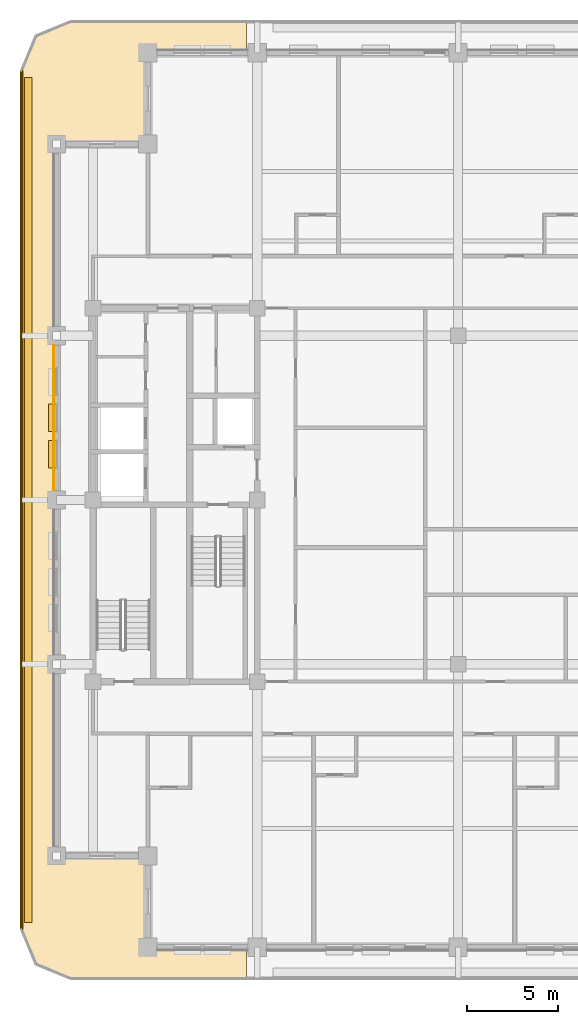
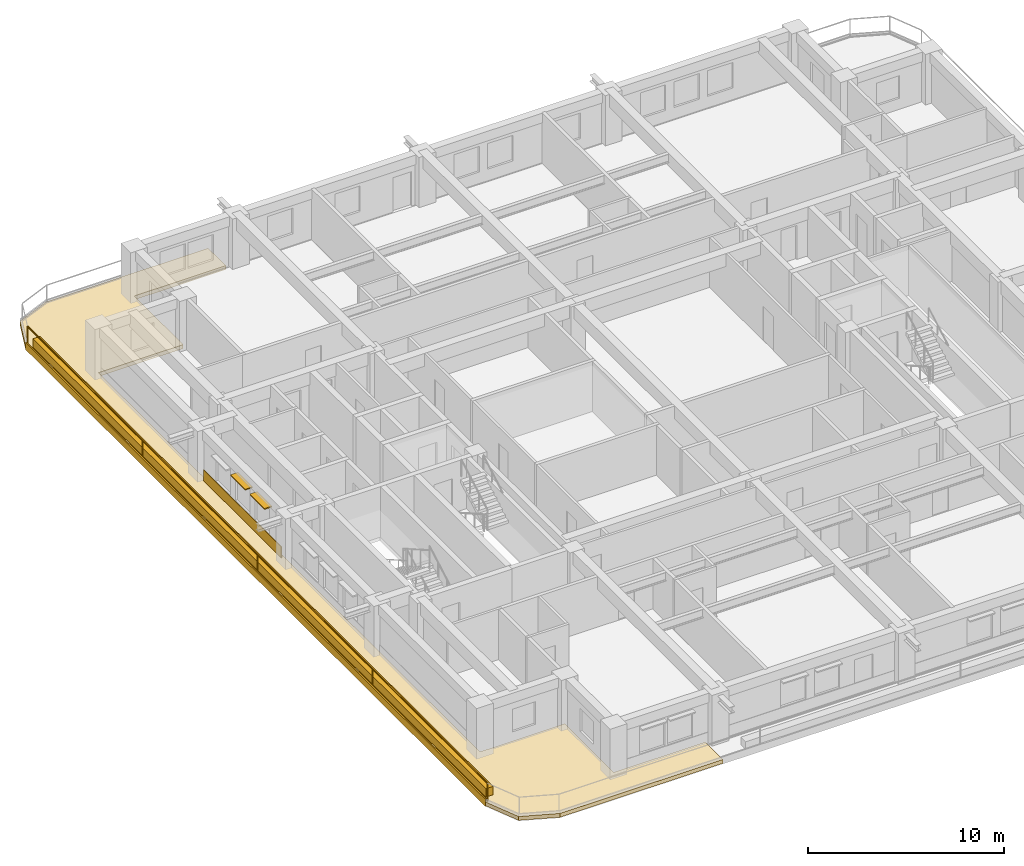
# One storey, part 10 of 13: 4 coverings, 2 shading devices, 1 railing.
"""IFC4 building model written with IfcOpenShell, lengths in metres."""

import ifcopenshell
import ifcopenshell.guid

model = None  # the IFC model being written
_history = None  # IfcOwnerHistory: only IFC2X3 demands one
_inside = {}  # id of a spatial element -> (the spatial element, [elements in it])
_under = {}  # id of a project, library or spatial element -> (it, [spatial elements below it])
_declared = {}  # id of a project -> (the project, [libraries it declares])
_typed = {}  # id of a type object -> (the type object, [elements of that type])
_made_of = {}  # id of a material, layer set ... -> (it, [elements and type objects made of it])


def new_model(schema):
    """Start an empty IFC model of exactly this schema.

    Asked for "IFC4X3", IfcOpenShell would pick the latest addendum, in which some entities
    have other attributes; the version numbers below select the first issue.
    IFC2X3 requires an IfcOwnerHistory on every rooted entity: one is made here for all.
    """
    global model, _history
    if schema == "IFC4X3":
        model = ifcopenshell.file(schema_version=(4, 3, 0, 0))
    else:
        model = ifcopenshell.file(schema=schema)
    _inside.clear()
    _under.clear()
    _declared.clear()
    _typed.clear()
    _made_of.clear()
    _history = None
    if model.schema == "IFC2X3":
        org = make("IfcOrganization", Name="unknown")
        user = make(
            "IfcPersonAndOrganization",
            ThePerson=make("IfcPerson", FamilyName="unknown"),
            TheOrganization=org,
        )
        app = make(
            "IfcApplication",
            ApplicationDeveloper=org,
            Version="unknown",
            ApplicationFullName="unknown",
            ApplicationIdentifier="unknown",
        )
        _history = make(
            "IfcOwnerHistory",
            OwningUser=user,
            OwningApplication=app,
            ChangeAction="ADDED",
            CreationDate=0,
        )
    return model


def make(cls, **values):
    """One entity of the class cls with the attributes given. An attribute that is None is left unset."""
    return model.create_entity(
        cls, **{name: value for name, value in values.items() if value is not None}
    )


def rooted(cls, **values):
    """An entity with a GlobalId (a new one), such as an element, a storey or a relation."""
    return make(cls, GlobalId=ifcopenshell.guid.new(), OwnerHistory=_history, **values)


def si_unit(unit_type, name, prefix=None):
    """IfcSIUnit, for example si_unit("LENGTHUNIT", "METRE", prefix="MILLI")."""
    return make("IfcSIUnit", UnitType=unit_type, Prefix=prefix, Name=name)


def assignment(units):
    """IfcUnitAssignment: the units of a project."""
    return None if units is None else make("IfcUnitAssignment", Units=units)


def point(xyz):
    """IfcCartesianPoint."""
    return None if xyz is None else make("IfcCartesianPoint", Coordinates=xyz)


def direction(xyz):
    """IfcDirection."""
    return None if xyz is None else make("IfcDirection", DirectionRatios=xyz)


def frame(location, z_axis=None, x_axis=None):
    """IfcAxis2Placement3D, a coordinate frame: its origin and axes. An axis left out is left unset."""
    return make(
        "IfcAxis2Placement3D",
        Location=point(location),
        Axis=direction(z_axis),
        RefDirection=direction(x_axis),
    )


def frame_2d(location, x_axis=None):
    """IfcAxis2Placement2D, a coordinate frame in the plane: its origin and x axis."""
    return make(
        "IfcAxis2Placement2D", Location=point(location), RefDirection=direction(x_axis)
    )


def origin():
    """The frame at (0, 0, 0) with its axes left unset."""
    return frame((0.0, 0.0, 0.0))


def origin_2d():
    """The frame at (0, 0) in the plane with its x axis left unset."""
    return frame_2d((0.0, 0.0))


def place(relative_to, where):
    """IfcLocalPlacement: puts the frame where relative to a parent placement (None: the world)."""
    return make(
        "IfcLocalPlacement", PlacementRelTo=relative_to, RelativePlacement=where
    )


def context(
    kind, dimensions, precision=None, world=None, true_north=None, identifier=None
):
    """IfcGeometricRepresentationContext, for example the 3D "Model" context."""
    return make(
        "IfcGeometricRepresentationContext",
        ContextIdentifier=identifier,
        ContextType=kind,
        CoordinateSpaceDimension=dimensions,
        Precision=precision,
        WorldCoordinateSystem=world,
        TrueNorth=true_north,
    )


def subcontext(parent, identifier, kind, view, scale=None):
    """IfcGeometricRepresentationSubContext, for example "Body" below "Model"."""
    return make(
        "IfcGeometricRepresentationSubContext",
        ContextIdentifier=identifier,
        ContextType=kind,
        ParentContext=parent,
        TargetScale=scale,
        TargetView=view,
    )


def project(units=None, contexts=None):
    """IfcProject with its units and contexts."""
    return rooted(
        "IfcProject",
        Name="project",
        RepresentationContexts=contexts,
        UnitsInContext=assignment(units),
    )


def spatial(cls, under=None, at=None, **own):
    """A site, building, storey or space (cls), placed at a placement, below another one or the project."""
    s = rooted(cls, ObjectPlacement=at, **own)
    if under is not None:
        _under.setdefault(under.id(), (under, []))[1].append(s)
    return s


def polyline(points):
    """IfcPolyline through the points."""
    return make("IfcPolyline", Points=[point(p) for p in points])


def profile(cls, at=None, kind="AREA", **sizes):
    """A parametric profile (cls). Its sizes go by their IFC names, for example OverallWidth=200.0."""
    return make(cls, ProfileType=kind, Position=at, **sizes)


def rectangle(**sizes):
    """IfcRectangleProfileDef."""
    return profile("IfcRectangleProfileDef", **sizes)


def outline(outer, holes=None, kind="AREA"):
    """IfcArbitraryClosedProfileDef: a profile drawn as a closed curve; with holes, ...WithVoids."""
    if holes is None:
        return make("IfcArbitraryClosedProfileDef", ProfileType=kind, OuterCurve=outer)
    return make(
        "IfcArbitraryProfileDefWithVoids",
        ProfileType=kind,
        OuterCurve=outer,
        InnerCurves=holes,
    )


def extrude(swept, where, along, depth):
    """IfcExtrudedAreaSolid: the profile swept, set in the frame where, extruded along a direction by depth."""
    return make(
        "IfcExtrudedAreaSolid",
        SweptArea=swept,
        Position=where,
        ExtrudedDirection=direction(along),
        Depth=depth,
    )


def shape(context_of_items, identifier, shape_type, items):
    """IfcShapeRepresentation: the items that make up one representation, for example the "Body"."""
    return make(
        "IfcShapeRepresentation",
        ContextOfItems=context_of_items,
        RepresentationIdentifier=identifier,
        RepresentationType=shape_type,
        Items=items,
    )


def material(Name=None, Category=None):
    """IfcMaterial."""
    return make("IfcMaterial", Name=Name, Category=Category)


def layer(
    of_material, thickness, ventilated=None, Name=None, Category=None, Priority=None
):
    """IfcMaterialLayer: one layer of a wall or slab, of a material (None: an air gap)."""
    return make(
        "IfcMaterialLayer",
        Material=of_material,
        LayerThickness=thickness,
        IsVentilated=ventilated,
        Name=Name,
        Category=Category,
        Priority=Priority,
    )


def layer_set(layers, Name=None):
    """IfcMaterialLayerSet."""
    return make("IfcMaterialLayerSet", MaterialLayers=layers, LayerSetName=Name)


def made_of(thing, what):
    """Note that an element or type object is made of a material, layer set ...; save() writes the relation."""
    if what is not None:
        _made_of.setdefault(what.id(), (what, []))[1].append(thing)
    return thing


def type_object(cls, material=None, **own):
    """A type object (cls), such as IfcWallType, which elements share."""
    return made_of(rooted(cls, **own), material)


def element(
    cls,
    number,
    at=None,
    inside=None,
    cuts=None,
    type_object=None,
    material=None,
    context=None,
    identifier="Body",
    shape_type=None,
    held_by="IfcProductDefinitionShape",
    body=None,
    shapes=None,
    **own,
):
    """One element of the class cls, such as IfcWall. Its Tag is "e" and its number.

    at: its placement. inside: the storey or other place that contains it. cuts: it is an
    opening in that element (IfcRelVoidsElement). A single representation is given by context,
    identifier, shape_type and body (its items); several are given by shapes. held_by: the class
    of the entity that holds the representations. save() writes the other relations.
    """
    e = rooted(cls, Tag="e%d" % number, ObjectPlacement=at, **own)
    if body is not None:
        shapes = [shape(context, identifier, shape_type, body)]
    if shapes is not None:
        e.Representation = make(held_by, Representations=shapes)
    if inside is not None:
        _inside.setdefault(inside.id(), (inside, []))[1].append(e)
    if cuts is not None:
        rooted(
            "IfcRelVoidsElement", RelatingBuildingElement=cuts, RelatedOpeningElement=e
        )
    if type_object is not None:
        _typed.setdefault(type_object.id(), (type_object, []))[1].append(e)
    return made_of(e, material)


def aggregate(whole, parts):
    """IfcRelAggregates: a whole, such as a stair, and the parts it consists of."""
    return rooted("IfcRelAggregates", RelatingObject=whole, RelatedObjects=parts)


def save(model, path):
    """Write the relations noted so far, then the file.

    IfcRelAggregates (storeys below a building ...), IfcRelContainedInSpatialStructure (elements
    in a storey), IfcRelDefinesByType, IfcRelAssociatesMaterial and IfcRelDeclares: one each for
    every whole, place, type object, material and project.
    """
    for whole, parts in _under.values():
        aggregate(whole, parts)
    for where, things in _inside.values():
        rooted(
            "IfcRelContainedInSpatialStructure",
            RelatedElements=things,
            RelatingStructure=where,
        )
    for kind, things in _typed.values():
        rooted("IfcRelDefinesByType", RelatedObjects=things, RelatingType=kind)
    for what, things in _made_of.values():
        rooted("IfcRelAssociatesMaterial", RelatedObjects=things, RelatingMaterial=what)
    for by, libraries in _declared.values():
        rooted("IfcRelDeclares", RelatingContext=by, RelatedDefinitions=libraries)
    model.write(path)


model = new_model("IFC4")

# Units and contexts
model_context = context("Model", 3, precision=1e-05, world=origin(), true_north=direction((0.0, 1.0)))
body_context = subcontext(model_context, "Body", "Model", "MODEL_VIEW")
ifc_project = project(units=[si_unit("LENGTHUNIT", "METRE"), si_unit("AREAUNIT", "SQUARE_METRE"), si_unit("VOLUMEUNIT", "CUBIC_METRE"), si_unit("PLANEANGLEUNIT", "RADIAN"), si_unit("MASSUNIT", "GRAM", prefix="KILO")], contexts=[model_context])

# Site, building, storey
site_placement = place(None, origin())
site = spatial("IfcSite", under=ifc_project, at=site_placement, CompositionType="ELEMENT")
building_placement = place(site_placement, origin())
building = spatial("IfcBuilding", under=site, at=building_placement, Name="Zulmaris Gate Convention Tower", CompositionType="ELEMENT")
storey_placement = place(building_placement, frame((0.0, 0.0, 169.4599609375)))
storey = spatial("IfcBuildingStorey", under=building, at=storey_placement, Name="L43", CompositionType="ELEMENT", Elevation=169.4599609375)

# Coverings
ifc_material_1 = material(Name="Precast concrete C40/50", Category="concrete")
ifc_layer_1 = layer(ifc_material_1, 0.0400390625, Name="Precast concrete C40/50")
ifc_layer_set_1 = layer_set([ifc_layer_1], Name="Precast concrete C40/50")
covering_type_1 = type_object("IfcCoveringType", Name="CLAD-SPANDREL-PRECAST", PredefinedType="CLADDING", material=ifc_layer_set_1)
covering_1_placement = place(storey_placement, frame((-22.14990234375, 8.469970703125, 0.0), z_axis=(0.0, 0.0, 1.0), x_axis=(0.0, -1.0, 0.0)))
element("IfcCovering", 1, at=covering_1_placement, inside=storey, type_object=covering_type_1, Name="CLD-L43-W-2_0", PredefinedType="CLADDING", context=body_context, shape_type="SweptSolid", body=[
    extrude(rectangle(XDim=7.93994140625, YDim=0.0400390625, at=frame_2d((3.969970703125, 0.0))), origin(), (0.0, 0.0, 1.0), 0.679931640625),
])
ifc_material_2 = material(Name="White Glazed Architectural Precast Concrete C40/50", Category="concrete")
ifc_layer_2 = layer(ifc_material_2, 0.239990234375, Name="White Glazed Architectural Precast Concrete C40/50")
ifc_layer_set_2 = layer_set([ifc_layer_2], Name="White Glazed Architectural Precast Concrete C40/50")
covering_type_2 = type_object("IfcCoveringType", Name="CLAD-TRAY-DECK", PredefinedType="CLADDING", material=ifc_layer_set_2)
covering_2_placement = place(storey_placement, frame((0.0, 0.0, -0.25)))
element("IfcCovering", 2, at=covering_2_placement, inside=storey, type_object=covering_type_2, Name="L43 West Rounded-Fascia Planter Tray Deck", PredefinedType="CLADDING", context=body_context, shape_type="SweptSolid", body=[
    extrude(outline(polyline([(-24.0, 23.5), (-23.179931640625, 25.47998046875), (-21.199951171875, 26.300048828125), (-11.60205078125, 26.300048828125), (-11.60205078125, 24.5), (-17.0, 24.5), (-17.0, 19.5), (-22.0, 19.5), (-22.0, -19.5), (-17.0, -19.5), (-17.0, -24.5), (-11.60205078125, -24.5), (-11.60205078125, -26.300048828125), (-21.199951171875, -26.300048828125), (-23.179931640625, -25.47998046875), (-24.0, -23.5), (-24.0, 23.5)])), origin(), (0.0, 0.0, 1.0), 0.239990234375),
])
ifc_layer_3 = layer(ifc_material_2, 0.080078125, Name="White Glazed Architectural Precast Concrete C40/50")
ifc_layer_set_3 = layer_set([ifc_layer_3], Name="White Glazed Architectural Precast Concrete C40/50")
covering_type_3 = type_object("IfcCoveringType", Name="CLAD-TRAY-FASCIA", PredefinedType="CLADDING", material=ifc_layer_set_3)
covering_3_placement = place(storey_placement, frame((-23.9599609375, 23.5, -0.2900390625), z_axis=(0.0, 0.0, 1.0), x_axis=(0.0, -1.0, 0.0)))
element("IfcCovering", 3, at=covering_3_placement, inside=storey, type_object=covering_type_3, Name="FSC-L43-TR-11", PredefinedType="CLADDING", context=body_context, shape_type="SweptSolid", body=[
    extrude(rectangle(XDim=47.0, YDim=0.080078125, at=frame_2d((23.5, 0.0))), origin(), (0.0, 0.0, 1.0), 0.440185546875),
])
ifc_material_3 = material(Name="Botanical Green Glazed Precast Concrete C40/50", Category="concrete")
ifc_layer_4 = layer(ifc_material_3, 0.419921875, Name="Botanical Green Glazed Precast Concrete C40/50")
ifc_layer_set_4 = layer_set([ifc_layer_4], Name="Botanical Green Glazed Precast Concrete C40/50")
covering_type_4 = type_object("IfcCoveringType", Name="PLANTER-BOX-200", PredefinedType="CLADDING", material=ifc_layer_set_4)
covering_4_placement = place(storey_placement, frame((0.0, 0.0, -0.010009765625)))
element("IfcCovering", 4, at=covering_4_placement, inside=storey, type_object=covering_type_4, Name="L43 W Full-Length Balcony Tree Planter Trough", PredefinedType="CLADDING", context=body_context, shape_type="SweptSolid", body=[
    extrude(outline(polyline([(-23.760009765625, -23.14990234375), (-23.340087890625, -23.14990234375), (-23.340087890625, 23.14990234375), (-23.760009765625, 23.14990234375), (-23.760009765625, -23.14990234375)])), origin(), (0.0, 0.0, 1.0), 0.52001953125),
])

# Railing
ifc_material_4 = material(Name="Laminated Glass and Stainless Steel", Category="steel")
railing_type = type_object("IfcRailingType", Name="RL-BALC-1150", PredefinedType="BALUSTRADE", material=ifc_material_4)
railing_placement = place(storey_placement, frame((-23.8798828125, 23.5, -0.010009765625)))
element("IfcRailing", 5, at=railing_placement, inside=storey, type_object=railing_type, Name="RL-L43-BALC-W", PredefinedType="BALUSTRADE", context=body_context, shape_type="SweptSolid", body=[
    extrude(rectangle(XDim=0.048095703125, YDim=0.048095703125, at=origin_2d()), frame((0.0, 0.0, 1.1259765625), z_axis=(0.0, -1.0, 0.0), x_axis=(1.0, 0.0, 0.0)), (0.0, 0.0, 1.0), 47.0),
    extrude(rectangle(XDim=0.048095703125, YDim=0.048095703125, at=origin_2d()), frame((0.0, 0.0, 0.02392578125), z_axis=(0.0, -1.0, 0.0), x_axis=(1.0, 0.0, 0.0)), (0.0, 0.0, 1.0), 47.0),
    extrude(rectangle(XDim=0.0419921875, YDim=0.0419921875, at=origin_2d()), origin(), (0.0, 0.0, 1.0), 1.101806640625),
    extrude(rectangle(XDim=0.0419921875, YDim=0.0419921875, at=origin_2d()), frame((0.0, -11.75, 0.0)), (0.0, 0.0, 1.0), 1.101806640625),
    extrude(rectangle(XDim=0.0419921875, YDim=0.0419921875, at=origin_2d()), frame((0.0, -23.5, 0.0)), (0.0, 0.0, 1.0), 1.101806640625),
    extrude(rectangle(XDim=0.0419921875, YDim=0.0419921875, at=origin_2d()), frame((0.0, -35.25, 0.0)), (0.0, 0.0, 1.0), 1.101806640625),
    extrude(rectangle(XDim=0.0419921875, YDim=0.0419921875, at=origin_2d()), frame((0.0, -47.0, 0.0)), (0.0, 0.0, 1.0), 1.101806640625),
])

# Shading devices
ifc_material_5 = material(Name="Glazed Ceramic Terracotta", Category="masonry")
ifc_layer_5 = layer(ifc_material_5, 0.070068359375, Name="Glazed Ceramic Terracotta")
ifc_layer_set_5 = layer_set([ifc_layer_5], Name="Glazed Ceramic Terracotta")
shading_device_type = type_object("IfcShadingDeviceType", Name="SHD-SUNSHADE-TC", PredefinedType="AWNING", material=ifc_layer_set_5)
for number, where, z_axis, x_axis, name in (
    (6, (-22.219970703125, 5.25, 2.35009765625), (0.0, 0.0, 1.0), (0.0, -1.0, 0.0), "SHD-EW-L43-W-2_0-2"),
    (7, (-22.219970703125, 3.264892578125, 2.35009765625), (0.0, 0.0, 1.0), (0.0, -1.0, 0.0), "SHD-EW-L43-W-2_0-3"),
):
    element("IfcShadingDevice", number, at=place(storey_placement, frame(where, z_axis=z_axis, x_axis=x_axis)), inside=storey, type_object=shading_device_type, Name=name, PredefinedType="AWNING", context=body_context, shape_type="SweptSolid", body=[
        extrude(rectangle(XDim=1.5, YDim=0.43994140625, at=frame_2d((0.75, 0.0))), origin(), (0.0, 0.0, 1.0), 0.06982421875),
    ])

save(model, "model.ifc")
